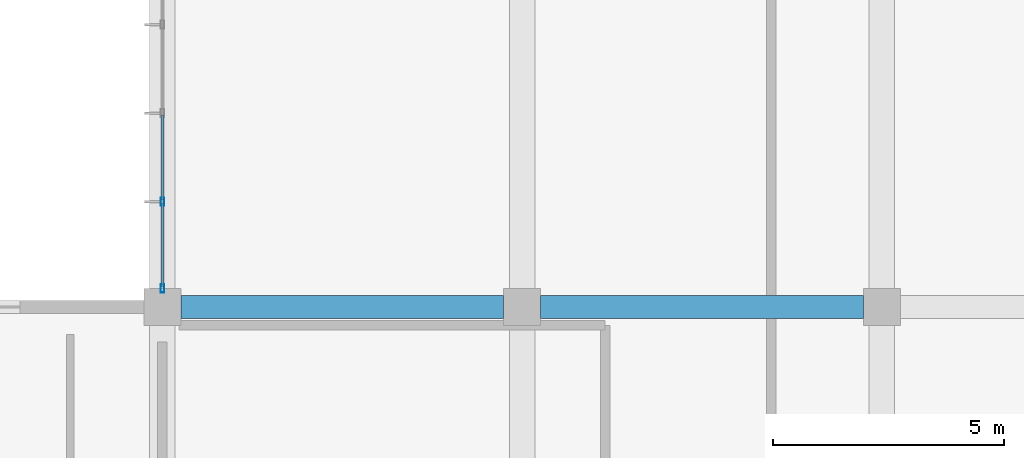
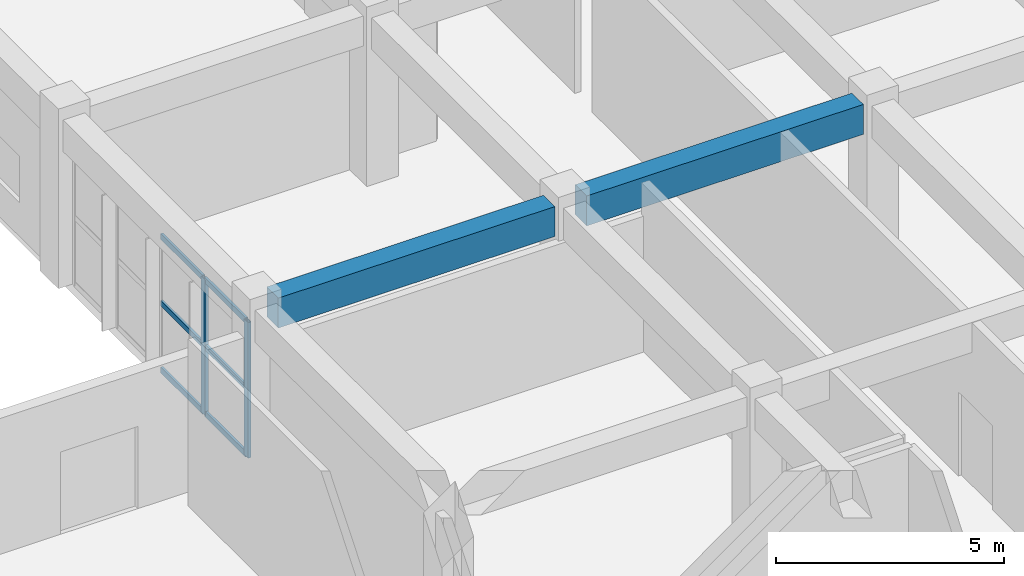
# One storey, part 34 of 139: 8 members, 2 beams, 1 element without a shape of its own.
"""IFC4 building model written with IfcOpenShell, lengths in metres."""

from ifc_helpers import new_model, si_unit, direction, frame, origin, origin_2d, place, context, subcontext, project, spatial, rectangle, hollow_rectangle, extrude, material, layer, layer_set, material_profile, profile_set, type_object, element, aggregate, save


model = new_model("IFC4")

# Units and contexts
model_context = context("Model", 3, precision=1e-05, world=origin(), true_north=direction((0.0, 1.0)))
body_context = subcontext(model_context, "Body", "Model", "MODEL_VIEW")
ifc_project = project(units=[si_unit("LENGTHUNIT", "METRE"), si_unit("AREAUNIT", "SQUARE_METRE"), si_unit("VOLUMEUNIT", "CUBIC_METRE"), si_unit("PLANEANGLEUNIT", "RADIAN"), si_unit("MASSUNIT", "GRAM", prefix="KILO")], contexts=[model_context])

# Site, building, storey
site_placement = place(None, origin())
site = spatial("IfcSite", under=ifc_project, at=site_placement, CompositionType="ELEMENT")
building_placement = place(site_placement, origin())
building = spatial("IfcBuilding", under=site, at=building_placement, Name="Zizhar Promenade General Hospital", CompositionType="ELEMENT")
storey_placement = place(building_placement, origin())
storey = spatial("IfcBuildingStorey", under=building, at=storey_placement, Name="L00", CompositionType="ELEMENT", Elevation=0.0)

# Beams
ifc_material_1 = material(Name="Concrete C35/45", Category="concrete")
ifc_material_profile_1 = material_profile(ifc_material_1, rectangle(XDim=0.5, YDim=0.800048828125, at=origin_2d()))
ifc_profile_set_1 = profile_set([ifc_material_profile_1], Name="Concrete C35/45")
beam_type = type_object("IfcBeamType", Name="BM-RC-500x800", PredefinedType="BEAM", material=ifc_profile_set_1)
for number, where, z_axis, x_axis, name in (
    (1, (47.199951171875, 84.0, 4.070068359375), (1.0, 0.0, 0.0), (0.0, 1.0, 0.0), "Grid Beam X L00 (6-10)"),
    (2, (55.0, 84.0, 4.070068359375), (1.0, 0.0, 0.0), (0.0, 1.0, 0.0), "Grid Beam X L00 (7-10)"),
):
    element("IfcBeam", number, at=place(storey_placement, frame(where, z_axis=z_axis, x_axis=x_axis)), inside=storey, type_object=beam_type, Name=name, PredefinedType="BEAM", context=body_context, shape_type="SweptSolid", body=[
        extrude(rectangle(XDim=0.5, YDim=0.800048828125, at=origin_2d()), origin(), (0.0, 0.0, 1.0), 7.0),
    ])

# Curtain wall, members
ifc_material_2 = material(Name="Anodised aluminium 6063-T6 and low-E glass", Category="aluminium")
ifc_layer = layer(ifc_material_2, 0.159912109375)
ifc_layer_set = layer_set([ifc_layer], Name="Anodised aluminium 6063-T6 and low-E glass")
curtain_wall_type = type_object("IfcCurtainWallType", Name="CW-DT-MOD1", PredefinedType="NOTDEFINED", material=ifc_layer_set)
curtain_wall_placement = place(storey_placement, origin())
curtain_wall = element("IfcCurtainWall", 3, at=curtain_wall_placement, inside=storey, type_object=curtain_wall_type, Name="Surgical West Glazed Curtain Wall L00-10", PredefinedType="NOTDEFINED")
ifc_material_3 = material(Name="Anodised aluminium 6063-T6", Category="aluminium")
ifc_material_profile_2 = material_profile(ifc_material_3, hollow_rectangle(XDim=0.080078125, YDim=0.179931640625, WallThickness=0.0048828125, at=origin_2d()))
ifc_profile_set_2 = profile_set([ifc_material_profile_2], Name="Anodised aluminium 6063-T6")
member_type_1 = type_object("IfcMemberType", Name="CWM-ALU-180x80", PredefinedType="MULLION", material=ifc_profile_set_2)
member_1_placement = place(storey_placement, frame((46.800048828125, 84.39990234375, 0.0), z_axis=(0.0, 0.0, 1.0), x_axis=(-1.0, 0.0, 0.0)))
member_1 = element("IfcMember", 4, at=member_1_placement, type_object=member_type_1, Name="CW-07 mullion 1", PredefinedType="MULLION", context=body_context, shape_type="SweptSolid", body=[
    extrude(hollow_rectangle(XDim=0.080078125, YDim=0.179931640625, WallThickness=0.0048828125, at=origin_2d()), origin(), (0.0, 0.0, 1.0), 3.6298828125),
])
member_2_placement = place(storey_placement, frame((46.800048828125, 86.280029296875, 0.0), z_axis=(0.0, 0.0, 1.0), x_axis=(-1.0, 0.0, 0.0)))
member_2 = element("IfcMember", 5, at=member_2_placement, type_object=member_type_1, Name="CW-07 mullion 2", PredefinedType="MULLION", context=body_context, shape_type="SweptSolid", body=[
    extrude(hollow_rectangle(XDim=0.080078125, YDim=0.179931640625, WallThickness=0.0048828125, at=origin_2d()), origin(), (0.0, 0.0, 1.0), 3.6298828125),
])
ifc_material_4 = material(Name="Anodised aluminium 6063-T6", Category="aluminium")
ifc_material_profile_3 = material_profile(ifc_material_4, hollow_rectangle(XDim=0.06005859375, YDim=0.14990234375, WallThickness=0.00390625, at=origin_2d()))
ifc_profile_set_3 = profile_set([ifc_material_profile_3], Name="Anodised aluminium 6063-T6")
member_type_2 = type_object("IfcMemberType", Name="CWT-ALU-150x60", PredefinedType="USERDEFINED", material=ifc_profile_set_3)
member_3_placement = place(storey_placement, frame((46.800048828125, 84.43994140625, 0.030029296875), z_axis=(0.0, 1.0, 0.0), x_axis=(-1.0, 0.0, 0.0)))
member_3 = element("IfcMember", 6, at=member_3_placement, type_object=member_type_2, Name="CW-07 transom 1.1", ObjectType="TRANSOM", PredefinedType="USERDEFINED", context=body_context, shape_type="SweptSolid", body=[
    extrude(hollow_rectangle(XDim=0.06005859375, YDim=0.14990234375, WallThickness=0.00390625, at=origin_2d()), origin(), (0.0, 0.0, 1.0), 1.800048828125),
])
member_4_placement = place(storey_placement, frame((46.800048828125, 84.43994140625, 1.81494140625), z_axis=(0.0, 1.0, 0.0), x_axis=(-1.0, 0.0, 0.0)))
member_4 = element("IfcMember", 7, at=member_4_placement, type_object=member_type_2, Name="CW-07 transom 1.2", ObjectType="TRANSOM", PredefinedType="USERDEFINED", context=body_context, shape_type="SweptSolid", body=[
    extrude(hollow_rectangle(XDim=0.06005859375, YDim=0.14990234375, WallThickness=0.00390625, at=origin_2d()), origin(), (0.0, 0.0, 1.0), 1.800048828125),
])
member_5_placement = place(storey_placement, frame((46.800048828125, 84.43994140625, 3.60009765625), z_axis=(0.0, 1.0, 0.0), x_axis=(-1.0, 0.0, 0.0)))
member_5 = element("IfcMember", 8, at=member_5_placement, type_object=member_type_2, Name="CW-07 transom 1.3", ObjectType="TRANSOM", PredefinedType="USERDEFINED", context=body_context, shape_type="SweptSolid", body=[
    extrude(hollow_rectangle(XDim=0.06005859375, YDim=0.14990234375, WallThickness=0.00390625, at=origin_2d()), origin(), (0.0, 0.0, 1.0), 1.800048828125),
])
member_6_placement = place(storey_placement, frame((46.800048828125, 86.320068359375, 0.030029296875), z_axis=(0.0, 1.0, 0.0), x_axis=(-1.0, 0.0, 0.0)))
member_6 = element("IfcMember", 9, at=member_6_placement, type_object=member_type_2, Name="CW-07 transom 2.1", ObjectType="TRANSOM", PredefinedType="USERDEFINED", context=body_context, shape_type="SweptSolid", body=[
    extrude(hollow_rectangle(XDim=0.06005859375, YDim=0.14990234375, WallThickness=0.00390625, at=origin_2d()), origin(), (0.0, 0.0, 1.0), 1.83984375),
])
member_7_placement = place(storey_placement, frame((46.800048828125, 86.320068359375, 1.81494140625), z_axis=(0.0, 1.0, 0.0), x_axis=(-1.0, 0.0, 0.0)))
member_7 = element("IfcMember", 10, at=member_7_placement, type_object=member_type_2, Name="CW-07 transom 2.2", ObjectType="TRANSOM", PredefinedType="USERDEFINED", context=body_context, shape_type="SweptSolid", body=[
    extrude(hollow_rectangle(XDim=0.06005859375, YDim=0.14990234375, WallThickness=0.00390625, at=origin_2d()), origin(), (0.0, 0.0, 1.0), 1.83984375),
])
member_8_placement = place(storey_placement, frame((46.800048828125, 86.320068359375, 3.60009765625), z_axis=(0.0, 1.0, 0.0), x_axis=(-1.0, 0.0, 0.0)))
member_8 = element("IfcMember", 11, at=member_8_placement, type_object=member_type_2, Name="CW-07 transom 2.3", ObjectType="TRANSOM", PredefinedType="USERDEFINED", context=body_context, shape_type="SweptSolid", body=[
    extrude(hollow_rectangle(XDim=0.06005859375, YDim=0.14990234375, WallThickness=0.00390625, at=origin_2d()), origin(), (0.0, 0.0, 1.0), 1.83984375),
])
aggregate(curtain_wall, [member_1, member_2, member_3, member_4, member_5, member_6, member_7, member_8])

save(model, "model.ifc")
